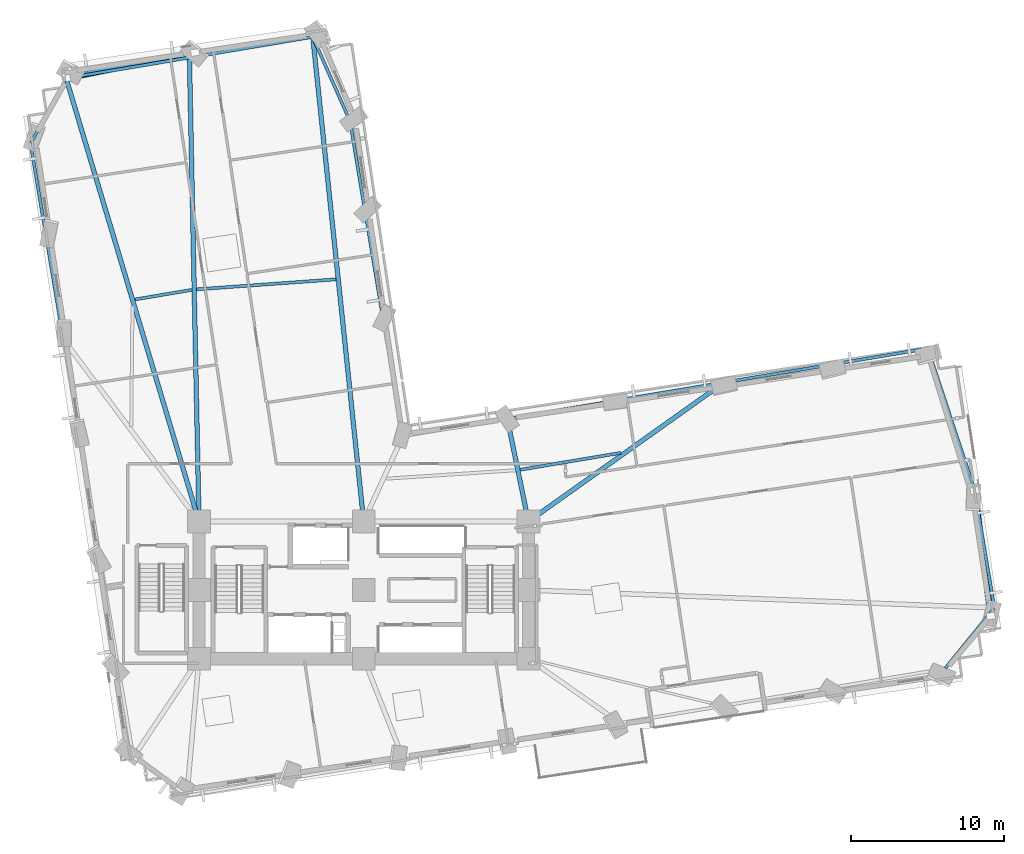
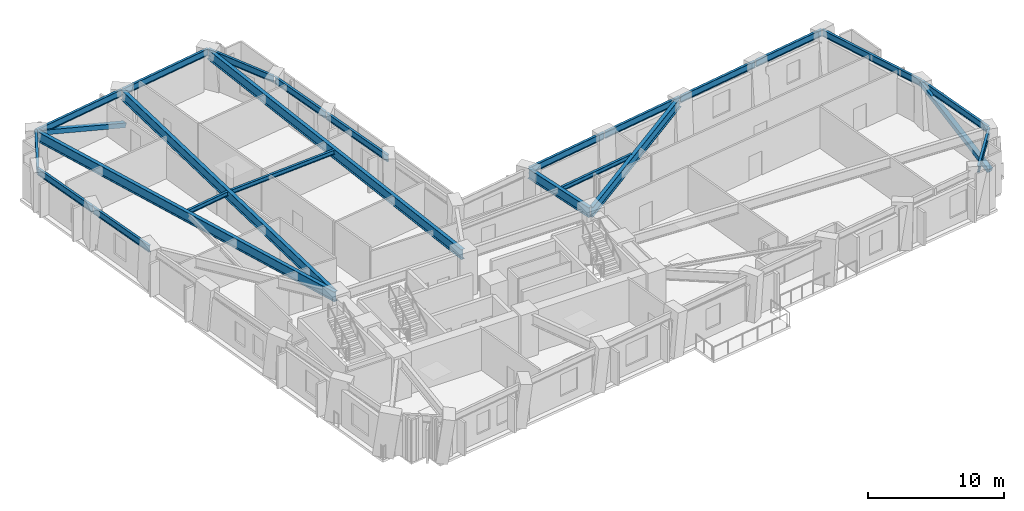
# One storey, part 2 of 15: 23 beams, 2 members.
"""IFC4 building model written with IfcOpenShell, lengths in metres."""

from ifc_helpers import new_model, si_unit, direction, frame, origin, origin_2d, place, context, subcontext, project, spatial, hollow_rectangle, i_section, extrude, material, material_profile, profile_set, type_object, element, save


model = new_model("IFC4")

# Units and contexts
model_context = context("Model", 3, precision=1e-05, world=origin(), true_north=direction((0.0, 1.0)))
body_context = subcontext(model_context, "Body", "Model", "MODEL_VIEW")
ifc_project = project(units=[si_unit("LENGTHUNIT", "METRE"), si_unit("AREAUNIT", "SQUARE_METRE"), si_unit("VOLUMEUNIT", "CUBIC_METRE"), si_unit("PLANEANGLEUNIT", "RADIAN"), si_unit("MASSUNIT", "GRAM", prefix="KILO")], contexts=[model_context])

# Site, building, storey
site_placement = place(None, origin())
site = spatial("IfcSite", under=ifc_project, at=site_placement, CompositionType="ELEMENT")
building_placement = place(site_placement, origin())
building = spatial("IfcBuilding", under=site, at=building_placement, Name="Gaonmaruhae Medical Tower", CompositionType="ELEMENT")
storey_placement = place(building_placement, frame((0.0, 0.0, 59.0)))
storey = spatial("IfcBuildingStorey", under=building, at=storey_placement, Name="L13", CompositionType="ELEMENT", Elevation=59.0)

# Beams
ifc_material_1 = material(Name="Steel SM355", Category="steel")
ifc_material_profile_1 = material_profile(ifc_material_1, i_section(OverallWidth=0.199951171875, OverallDepth=0.39990234375, WebThickness=0.008056640625, FlangeThickness=0.012939453125, FilletRadius=0.012939453125, at=origin_2d()), Name="H-400x200x8x13")
ifc_profile_set_1 = profile_set([ifc_material_profile_1], Name="Steel SM355")
beam_type_1 = type_object("IfcBeamType", Name="FJ-01 Lower Zone Ward Floor Joist (H-400x200x8x13)", PredefinedType="JOIST", material=ifc_profile_set_1)
beam_1_placement = place(storey_placement, frame((41.665283203125, 21.2978515625, 3.580078125), z_axis=(-0.986289243583, -0.165025840379, 0.0), x_axis=(0.165025840379, -0.986289243583, 0.0)))
element("IfcBeam", 1, at=beam_1_placement, inside=storey, type_object=beam_type_1, Name="L13 Secondary Floor Joist FJ05", PredefinedType="JOIST", context=body_context, shape_type="SweptSolid", body=[
    extrude(i_section(OverallWidth=0.199951171875, OverallDepth=0.39990234375, WebThickness=0.008056640625, FlangeThickness=0.012939453125, FilletRadius=0.012939453125, at=origin_2d()), origin(), (0.0, 0.0, 1.0), 6.6943359375),
])
beam_2_placement = place(storey_placement, frame((22.974365234375, 32.675048828125, 3.580078125), z_axis=(-0.99744324574, -0.071463078078, 0.0), x_axis=(0.071463078078, -0.99744324574, 0.0)))
element("IfcBeam", 2, at=beam_2_placement, inside=storey, type_object=beam_type_1, Name="L13 Secondary Floor Joist FJ08", PredefinedType="JOIST", context=body_context, shape_type="SweptSolid", body=[
    extrude(i_section(OverallWidth=0.199951171875, OverallDepth=0.39990234375, WebThickness=0.008056640625, FlangeThickness=0.012939453125, FilletRadius=0.012939453125, at=origin_2d()), origin(), (0.0, 0.0, 1.0), 9.15576171875),
])
beam_3_placement = place(storey_placement, frame((13.53076171875, 31.9833984375, 3.580078125), z_axis=(-0.986285634904, -0.165047406469, 0.0), x_axis=(0.165047406469, -0.986285634904, 0.0)))
element("IfcBeam", 3, at=beam_3_placement, inside=storey, type_object=beam_type_1, Name="L13 Secondary Floor Joist FJ09", PredefinedType="JOIST", context=body_context, shape_type="SweptSolid", body=[
    extrude(i_section(OverallWidth=0.199951171875, OverallDepth=0.39990234375, WebThickness=0.008056640625, FlangeThickness=0.012939453125, FilletRadius=0.012939453125, at=origin_2d()), origin(), (0.0, 0.0, 1.0), 3.785400390625),
])

# Members
ifc_material_2 = material(Name="Steel SM420", Category="steel")
ifc_material_profile_2 = material_profile(ifc_material_2, hollow_rectangle(XDim=0.39990234375, YDim=0.39990234375, WallThickness=0.01611328125, at=origin_2d()), Name="RHS-400x400x16")
ifc_profile_set_2 = profile_set([ifc_material_profile_2], Name="Steel SM420")
member_type = type_object("IfcMemberType", Name="PB-01 Perimeter Solid-Bay Tube Brace Lower (RHS-400x400x16)", PredefinedType="BRACE", material=ifc_profile_set_2)
member_1_placement = place(storey_placement, frame((65.920654296875, 10.597412109375, 0.25), z_axis=(-0.118363845899, 0.922422639109, 0.367595531588), x_axis=(-0.991867480911, -0.127274900555, 0.0)))
element("IfcMember", 4, at=member_1_placement, inside=storey, type_object=member_type, Name="L13 Perimeter Tube Solid-Bay Brace E01-E02", PredefinedType="BRACE", context=body_context, shape_type="SweptSolid", body=[
    extrude(hollow_rectangle(XDim=0.39990234375, YDim=0.39990234375, WallThickness=0.01611328125, at=origin_2d()), origin(), (0.0, 0.0, 1.0), 8.9228515625),
])
member_2_placement = place(storey_placement, frame((13.746826171875, 47.55126953125, 0.25), z_axis=(-0.916721490933, -0.182630175848, 0.355341985883), x_axis=(0.195381481432, -0.980727320265, 0.0)))
element("IfcMember", 5, at=member_2_placement, inside=storey, type_object=member_type, Name="L13 Perimeter Tube Solid-Bay Brace N02-N03", PredefinedType="BRACE", context=body_context, shape_type="SweptSolid", body=[
    extrude(hollow_rectangle(XDim=0.39990234375, YDim=0.39990234375, WallThickness=0.01611328125, at=origin_2d()), origin(), (0.0, 0.0, 1.0), 9.230712890625),
])

# Beams
ifc_material_profile_3 = material_profile(ifc_material_2, i_section(OverallWidth=0.300048828125, OverallDepth=0.89990234375, WebThickness=0.01611328125, FlangeThickness=0.028076171875, FilletRadius=0.01806640625, at=origin_2d()), Name="H-900x300x16x28")
ifc_profile_set_3 = profile_set([ifc_material_profile_3], Name="Steel SM420")
beam_type_2 = type_object("IfcBeamType", Name="PG-01 Zone 1 Radial Floor Girder (H-900x300x16x28)", PredefinedType="BEAM", material=ifc_profile_set_3)
beam_4_placement = place(storey_placement, frame((35.640869140625, 16.828857421875, 3.330078125), z_axis=(0.815102369097, 0.579316949426, 0.0), x_axis=(-0.579316949426, 0.815102369097, 0.0)))
element("IfcBeam", 6, at=beam_4_placement, inside=storey, type_object=beam_type_2, Name="L13 Radial Primary Girder EN02", PredefinedType="BEAM", context=body_context, shape_type="SweptSolid", body=[
    extrude(i_section(OverallWidth=0.300048828125, OverallDepth=0.89990234375, WebThickness=0.01611328125, FlangeThickness=0.028076171875, FilletRadius=0.01806640625, at=origin_2d()), origin(), (0.0, 0.0, 1.0), 15.6279296875),
])
beam_5_placement = place(storey_placement, frame((35.58984375, 16.848876953125, 3.330078125), z_axis=(-0.201109946168, 0.979568675261, 0.0), x_axis=(-0.979568675261, -0.201109946168, 0.0)))
element("IfcBeam", 7, at=beam_5_placement, inside=storey, type_object=beam_type_2, Name="L13 Radial Primary Girder EN04", PredefinedType="BEAM", context=body_context, shape_type="SweptSolid", body=[
    extrude(i_section(OverallWidth=0.300048828125, OverallDepth=0.89990234375, WebThickness=0.01611328125, FlangeThickness=0.028076171875, FilletRadius=0.01806640625, at=origin_2d()), origin(), (0.0, 0.0, 1.0), 6.775146484375),
])
beam_6_placement = place(storey_placement, frame((24.794677734375, 16.849609375, 3.330078125), z_axis=(-0.104547511448, 0.994519893139, 0.0), x_axis=(-0.994519893139, -0.104547511448, 0.0)))
element("IfcBeam", 8, at=beam_6_placement, inside=storey, type_object=beam_type_2, Name="L13 Radial Primary Girder N01", PredefinedType="BEAM", context=body_context, shape_type="SweptSolid", body=[
    extrude(i_section(OverallWidth=0.300048828125, OverallDepth=0.89990234375, WebThickness=0.01611328125, FlangeThickness=0.028076171875, FilletRadius=0.01806640625, at=origin_2d()), origin(), (0.0, 0.0, 1.0), 31.84765625),
])
beam_7_placement = place(storey_placement, frame((13.9990234375, 16.85009765625, 3.330078125), z_axis=(-0.020625955954, 0.999787262342, 0.0), x_axis=(-0.999787262342, -0.020625955954, 0.0)))
element("IfcBeam", 9, at=beam_7_placement, inside=storey, type_object=beam_type_2, Name="L13 Radial Primary Girder N02", PredefinedType="BEAM", context=body_context, shape_type="SweptSolid", body=[
    extrude(i_section(OverallWidth=0.300048828125, OverallDepth=0.89990234375, WebThickness=0.01611328125, FlangeThickness=0.028076171875, FilletRadius=0.01806640625, at=origin_2d()), origin(), (0.0, 0.0, 1.0), 30.3251953125),
])
beam_8_placement = place(storey_placement, frame((13.985595703125, 16.847900390625, 3.330078125), z_axis=(-0.287207171273, 0.957868488243, 0.0), x_axis=(-0.957868488243, -0.287207171273, 0.0)))
element("IfcBeam", 10, at=beam_8_placement, inside=storey, type_object=beam_type_2, Name="L13 Radial Primary Girder N03", PredefinedType="BEAM", context=body_context, shape_type="SweptSolid", body=[
    extrude(i_section(OverallWidth=0.300048828125, OverallDepth=0.89990234375, WebThickness=0.01611328125, FlangeThickness=0.028076171875, FilletRadius=0.01806640625, at=origin_2d()), origin(), (0.0, 0.0, 1.0), 30.243896484375),
])
ifc_material_profile_4 = material_profile(ifc_material_1, i_section(OverallWidth=0.199951171875, OverallDepth=0.60009765625, WebThickness=0.010986328125, FlangeThickness=0.01708984375, FilletRadius=0.012939453125, at=origin_2d()), Name="H-600x200x11x17")
ifc_profile_set_4 = profile_set([ifc_material_profile_4], Name="Steel SM355")
beam_type_3 = type_object("IfcBeamType", Name="SP-01 Lower Perimeter Spandrel Beam (H-600x200x11x17)", PredefinedType="SPANDREL", material=ifc_profile_set_4)
beam_9_placement = place(storey_placement, frame((62.94091796875, 7.177490234375, 3.47998046875), z_axis=(0.630027121673, 0.776573129818, 0.0), x_axis=(-0.776573129818, 0.630027121673, 0.0)))
element("IfcBeam", 11, at=beam_9_placement, inside=storey, type_object=beam_type_3, Name="L13 Perimeter Spandrel Beam S08-E01", PredefinedType="SPANDREL", context=body_context, shape_type="SweptSolid", body=[
    extrude(i_section(OverallWidth=0.199951171875, OverallDepth=0.60009765625, WebThickness=0.010986328125, FlangeThickness=0.01708984375, FilletRadius=0.012939453125, at=origin_2d()), origin(), (0.0, 0.0, 1.0), 5.05615234375),
])
beam_10_placement = place(storey_placement, frame((66.145263671875, 11.174560546875, 3.47998046875), z_axis=(-0.165045105119, 0.986286020015, 0.0), x_axis=(-0.986286020015, -0.165045105119, 0.0)))
element("IfcBeam", 12, at=beam_10_placement, inside=storey, type_object=beam_type_3, Name="L13 Perimeter Spandrel Beam E01-E02", PredefinedType="SPANDREL", context=body_context, shape_type="SweptSolid", body=[
    extrude(i_section(OverallWidth=0.199951171875, OverallDepth=0.60009765625, WebThickness=0.010986328125, FlangeThickness=0.01708984375, FilletRadius=0.012939453125, at=origin_2d()), origin(), (0.0, 0.0, 1.0), 7.72021484375),
])
beam_11_placement = place(storey_placement, frame((64.851806640625, 18.8662109375, 3.47998046875), z_axis=(-0.313826784218, 0.9494802523, 0.0), x_axis=(-0.9494802523, -0.313826784218, 0.0)))
element("IfcBeam", 13, at=beam_11_placement, inside=storey, type_object=beam_type_3, Name="L13 Perimeter Spandrel Beam E02-E03", PredefinedType="SPANDREL", context=body_context, shape_type="SweptSolid", body=[
    extrude(i_section(OverallWidth=0.199951171875, OverallDepth=0.60009765625, WebThickness=0.010986328125, FlangeThickness=0.01708984375, FilletRadius=0.012939453125, at=origin_2d()), origin(), (0.0, 0.0, 1.0), 9.7353515625),
])
beam_12_placement = place(storey_placement, frame((61.74462890625, 28.14111328125, 3.47998046875), z_axis=(-0.986284259592, -0.165055624809, 0.0), x_axis=(0.165055624809, -0.986284259592, 0.0)))
element("IfcBeam", 14, at=beam_12_placement, inside=storey, type_object=beam_type_3, Name="L13 Perimeter Spandrel Beam E03-EN01", PredefinedType="SPANDREL", context=body_context, shape_type="SweptSolid", body=[
    extrude(i_section(OverallWidth=0.199951171875, OverallDepth=0.60009765625, WebThickness=0.010986328125, FlangeThickness=0.01708984375, FilletRadius=0.012939453125, at=origin_2d()), origin(), (0.0, 0.0, 1.0), 6.27001953125),
])
beam_13_placement = place(storey_placement, frame((55.481689453125, 27.093017578125, 3.47998046875), z_axis=(-0.986282491299, -0.165066190833, 0.0), x_axis=(0.165066190833, -0.986282491299, 0.0)))
element("IfcBeam", 15, at=beam_13_placement, inside=storey, type_object=beam_type_3, Name="L13 Perimeter Spandrel Beam EN01-EN02", PredefinedType="SPANDREL", context=body_context, shape_type="SweptSolid", body=[
    extrude(i_section(OverallWidth=0.199951171875, OverallDepth=0.60009765625, WebThickness=0.010986328125, FlangeThickness=0.01708984375, FilletRadius=0.012939453125, at=origin_2d()), origin(), (0.0, 0.0, 1.0), 7.1201171875),
])
for number, where, z_axis, x_axis, name in (
    (16, (48.38037109375, 25.904541015625, 3.47998046875), (-0.986287139109, -0.16503841743, 0.0), (0.16503841743, -0.986287139109, 0.0), "L13 Perimeter Spandrel Beam EN02-EN03"),
    (17, (41.279052734375, 24.71630859375, 3.47998046875), (-0.986281556991, -0.165071773297, 0.0), (0.165071773297, -0.986281556991, 0.0), "L13 Perimeter Spandrel Beam EN03-EN04"),
):
    element("IfcBeam", number, at=place(storey_placement, frame(where, z_axis=z_axis, x_axis=x_axis)), inside=storey, type_object=beam_type_3, Name=name, PredefinedType="SPANDREL", context=body_context, shape_type="SweptSolid", body=[
        extrude(i_section(OverallWidth=0.199951171875, OverallDepth=0.60009765625, WebThickness=0.010986328125, FlangeThickness=0.01708984375, FilletRadius=0.012939453125, at=origin_2d()), origin(), (0.0, 0.0, 1.0), 7.119873046875),
    ])
beam_14_placement = place(storey_placement, frame((26.076904296875, 30.070556640625, 3.47998046875), z_axis=(-0.16503283603, 0.986288073046, 0.0), x_axis=(-0.986288073046, -0.16503283603, 0.0)))
element("IfcBeam", 18, at=beam_14_placement, inside=storey, type_object=beam_type_3, Name="L13 Perimeter Spandrel Beam NE01-NE02", PredefinedType="SPANDREL", context=body_context, shape_type="SweptSolid", body=[
    extrude(i_section(OverallWidth=0.199951171875, OverallDepth=0.60009765625, WebThickness=0.010986328125, FlangeThickness=0.01708984375, FilletRadius=0.012939453125, at=origin_2d()), origin(), (0.0, 0.0, 1.0), 7.1201171875),
])
beam_15_placement = place(storey_placement, frame((24.888671875, 37.171875, 3.47998046875), z_axis=(-0.165081068934, 0.986280001156, 0.0), x_axis=(-0.986280001156, -0.165081068934, 0.0)))
element("IfcBeam", 19, at=beam_15_placement, inside=storey, type_object=beam_type_3, Name="L13 Perimeter Spandrel Beam NE02-NE03", PredefinedType="SPANDREL", context=body_context, shape_type="SweptSolid", body=[
    extrude(i_section(OverallWidth=0.199951171875, OverallDepth=0.60009765625, WebThickness=0.010986328125, FlangeThickness=0.01708984375, FilletRadius=0.012939453125, at=origin_2d()), origin(), (0.0, 0.0, 1.0), 5.920166015625),
])
beam_16_placement = place(storey_placement, frame((23.888671875, 43.086669921875, 3.47998046875), z_axis=(-0.404853250633, 0.914381673839, 0.0), x_axis=(-0.914381673839, -0.404853250633, 0.0)))
element("IfcBeam", 20, at=beam_16_placement, inside=storey, type_object=beam_type_3, Name="L13 Perimeter Spandrel Beam NE03-N01", PredefinedType="SPANDREL", context=body_context, shape_type="SweptSolid", body=[
    extrude(i_section(OverallWidth=0.199951171875, OverallDepth=0.60009765625, WebThickness=0.010986328125, FlangeThickness=0.01708984375, FilletRadius=0.012939453125, at=origin_2d()), origin(), (0.0, 0.0, 1.0), 5.959228515625),
])
beam_17_placement = place(storey_placement, frame((21.42041015625, 48.565673828125, 3.47998046875), z_axis=(-0.986287263662, -0.165037673086, 0.0), x_axis=(0.165037673086, -0.986287263662, 0.0)))
element("IfcBeam", 21, at=beam_17_placement, inside=storey, type_object=beam_type_3, Name="L13 Perimeter Spandrel Beam N01-N02", PredefinedType="SPANDREL", context=body_context, shape_type="SweptSolid", body=[
    extrude(i_section(OverallWidth=0.199951171875, OverallDepth=0.60009765625, WebThickness=0.010986328125, FlangeThickness=0.01708984375, FilletRadius=0.012939453125, at=origin_2d()), origin(), (0.0, 0.0, 1.0), 8.119873046875),
])
beam_18_placement = place(storey_placement, frame((13.3330078125, 47.21240234375, 3.47998046875), z_axis=(-0.98628318831, -0.165062026089, 0.0), x_axis=(0.165062026089, -0.98628318831, 0.0)))
element("IfcBeam", 22, at=beam_18_placement, inside=storey, type_object=beam_type_3, Name="L13 Perimeter Spandrel Beam N02-N03", PredefinedType="SPANDREL", context=body_context, shape_type="SweptSolid", body=[
    extrude(i_section(OverallWidth=0.199951171875, OverallDepth=0.60009765625, WebThickness=0.010986328125, FlangeThickness=0.01708984375, FilletRadius=0.012939453125, at=origin_2d()), origin(), (0.0, 0.0, 1.0), 8.1201171875),
])
beam_19_placement = place(storey_placement, frame((5.265869140625, 45.830322265625, 3.47998046875), z_axis=(-0.476045584315, -0.879420605657, 0.0), x_axis=(0.879420605657, -0.476045584315, 0.0)))
element("IfcBeam", 23, at=beam_19_placement, inside=storey, type_object=beam_type_3, Name="L13 Perimeter Spandrel Beam N03-W01", PredefinedType="SPANDREL", context=body_context, shape_type="SweptSolid", body=[
    extrude(i_section(OverallWidth=0.199951171875, OverallDepth=0.60009765625, WebThickness=0.010986328125, FlangeThickness=0.01708984375, FilletRadius=0.012939453125, at=origin_2d()), origin(), (0.0, 0.0, 1.0), 4.80078125),
])
beam_20_placement = place(storey_placement, frame((2.968017578125, 41.53369140625, 3.47998046875), z_axis=(0.165069245269, -0.986281980098, 0.0), x_axis=(0.986281980098, 0.165069245269, 0.0)))
element("IfcBeam", 24, at=beam_20_placement, inside=storey, type_object=beam_type_3, Name="L13 Perimeter Spandrel Beam W01-W02", PredefinedType="SPANDREL", context=body_context, shape_type="SweptSolid", body=[
    extrude(i_section(OverallWidth=0.199951171875, OverallDepth=0.60009765625, WebThickness=0.010986328125, FlangeThickness=0.01708984375, FilletRadius=0.012939453125, at=origin_2d()), origin(), (0.0, 0.0, 1.0), 6.31982421875),
])
beam_21_placement = place(storey_placement, frame((4.0244140625, 35.221435546875, 3.47998046875), z_axis=(0.165024403212, -0.986289484048, 0.0), x_axis=(0.986289484048, 0.165024403212, 0.0)))
element("IfcBeam", 25, at=beam_21_placement, inside=storey, type_object=beam_type_3, Name="L13 Perimeter Spandrel Beam W02-W03", PredefinedType="SPANDREL", context=body_context, shape_type="SweptSolid", body=[
    extrude(i_section(OverallWidth=0.199951171875, OverallDepth=0.60009765625, WebThickness=0.010986328125, FlangeThickness=0.01708984375, FilletRadius=0.012939453125, at=origin_2d()), origin(), (0.0, 0.0, 1.0), 6.519775390625),
])

save(model, "model.ifc")
